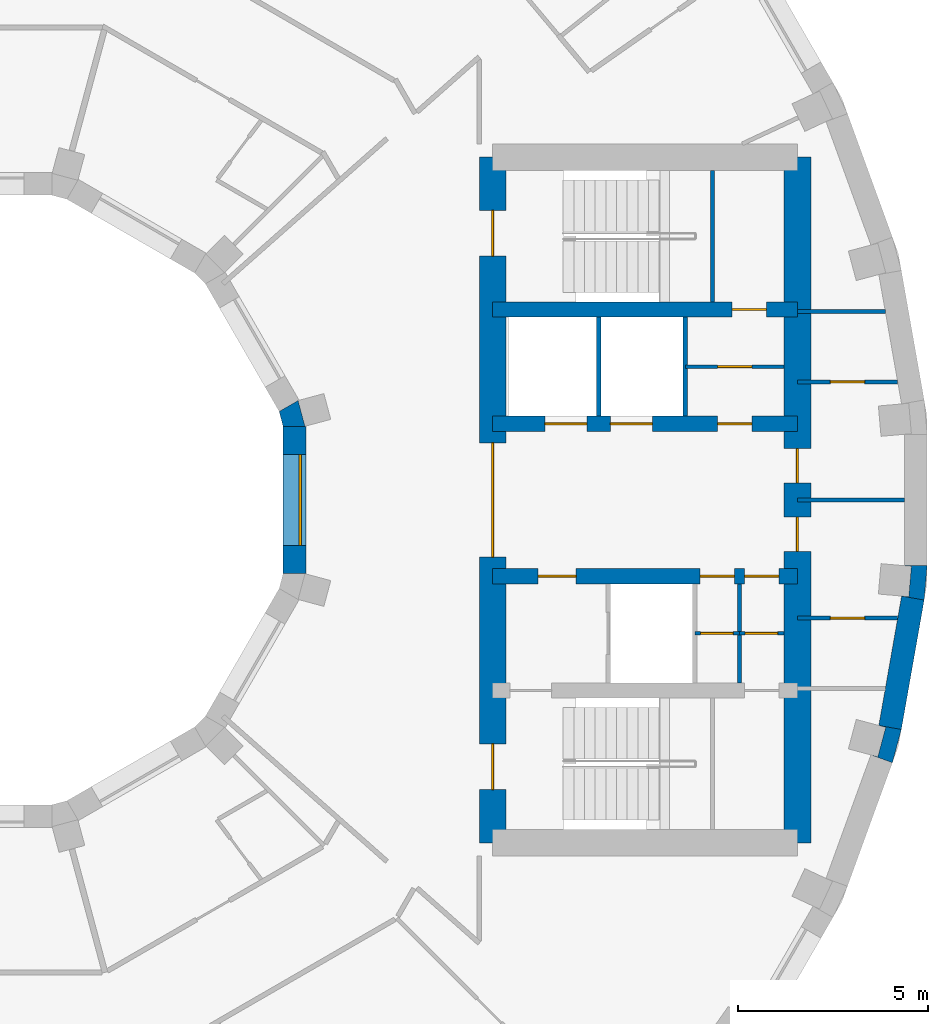
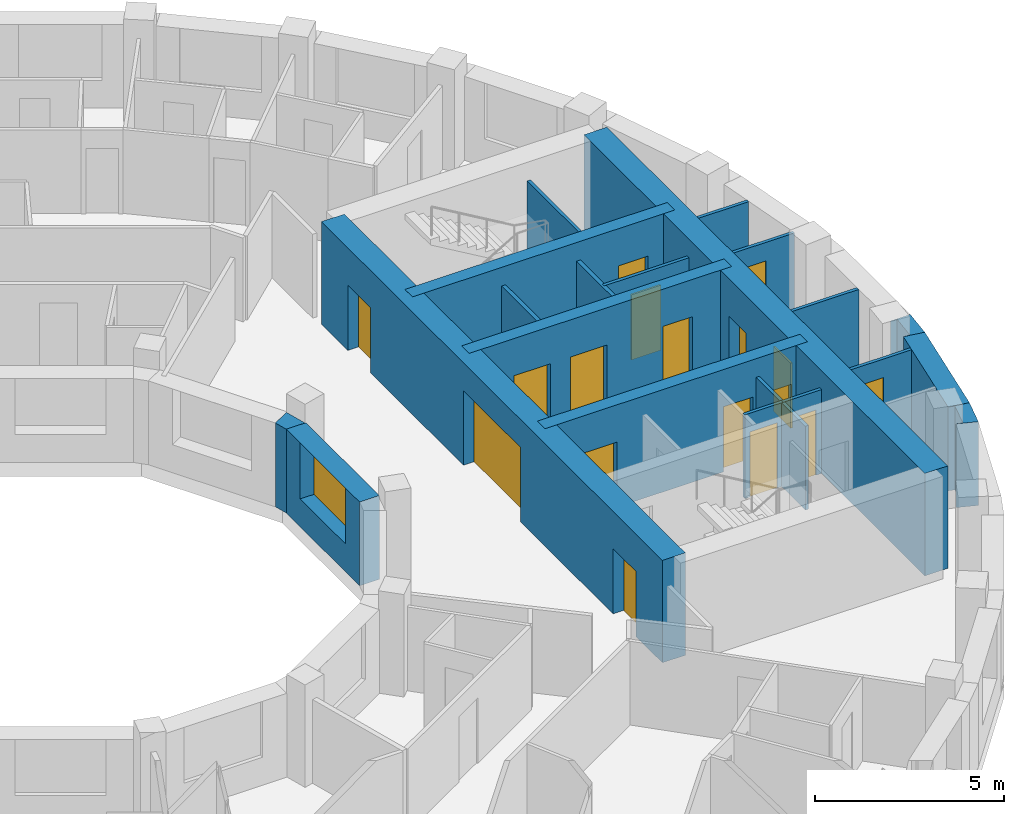
# One storey, part 9 of 14: 21 walls, 17 doors, 1 window, 18 openings.
"""IFC4 building model written with IfcOpenShell, lengths in metres."""

from ifc_helpers import new_model, si_unit, direction, frame, frame_2d, origin, place, context, subcontext, project, spatial, polyline, rectangle, outline, extrude, material, layer, layer_set, type_object, element, fill, save


model = new_model("IFC4")

# Units and contexts
model_context = context("Model", 3, precision=1e-05, world=origin(), true_north=direction((0.0, 1.0)))
body_context = subcontext(model_context, "Body", "Model", "MODEL_VIEW")
ifc_project = project(units=[si_unit("LENGTHUNIT", "METRE"), si_unit("AREAUNIT", "SQUARE_METRE"), si_unit("VOLUMEUNIT", "CUBIC_METRE"), si_unit("PLANEANGLEUNIT", "RADIAN"), si_unit("MASSUNIT", "GRAM", prefix="KILO")], contexts=[model_context])

# Site, building, storey
site_placement = place(None, origin())
site = spatial("IfcSite", under=ifc_project, at=site_placement, CompositionType="ELEMENT")
building_placement = place(site_placement, origin())
building = spatial("IfcBuilding", under=site, at=building_placement, Name="Saqina Gate Tower", CompositionType="ELEMENT")
storey_placement = place(building_placement, frame((0.0, 0.0, 216.89990234375)))
storey = spatial("IfcBuildingStorey", under=building, at=storey_placement, Name="L62", CompositionType="ELEMENT", Elevation=216.89990234375)

# Walls
ifc_material_1 = material(Name="Brick masonry (buff)", Category="masonry")
wall_type_1 = type_object("IfcWallType", Name="BRICK PIER COPING BUFF", PredefinedType="SOLIDWALL", material=ifc_material_1)
wall_1_placement = place(storey_placement, origin())
element("IfcWall", 1, at=wall_1_placement, inside=storey, type_object=wall_type_1, Name="Pier cap L62 column 35", PredefinedType="SOLIDWALL", context=body_context, shape_type="SweptSolid", body=[
    extrude(outline(polyline([(24.22705078125, -6.0234375), (23.635986328125, -5.919189453125), (23.81689453125, -5.967529296875), (23.610107421875, -6.740478515625), (23.428955078125, -6.69189453125), (23.992919921875, -6.897216796875), (24.22705078125, -6.0234375)])), origin(), (0.0, 0.0, 1.0), 2.7001953125),
])
wall_2_placement = place(storey_placement, origin())
element("IfcWall", 2, at=wall_2_placement, inside=storey, type_object=wall_type_1, Name="Pier cap L62 column 36", PredefinedType="SOLIDWALL", context=body_context, shape_type="SweptSolid", body=[
    extrude(outline(polyline([(24.825927734375, -2.6259765625), (24.90478515625, -1.724853515625), (24.304931640625, -1.724853515625), (24.491455078125, -1.7412109375), (24.421630859375, -2.5380859375), (24.235107421875, -2.521728515625), (24.825927734375, -2.6259765625)])), origin(), (0.0, 0.0, 1.0), 2.7001953125),
])
ifc_material_2 = material(Name="Gypsum board on steel studs", Category="steel")
ifc_layer_1 = layer(ifc_material_2, 0.10009765625)
ifc_layer_set_1 = layer_set([ifc_layer_1], Name="CORE PARTITION")
wall_type_2 = type_object("IfcWallType", Name="CORE PARTITION", PredefinedType="PARTITIONING", material=ifc_layer_set_1)
wall_3_placement = place(storey_placement, frame((21.5, 4.949951171875, 0.0), z_axis=(0.0, 0.0, 1.0), x_axis=(1.0, 0.0, 0.0)))
element("IfcWall", 3, at=wall_3_placement, inside=storey, type_object=wall_type_2, Name="L62-CP-E01", PredefinedType="PARTITIONING", context=body_context, shape_type="SweptSolid", body=[
    extrude(rectangle(XDim=2.306884765625, YDim=0.10009765625, at=frame_2d((1.1533203125, 0.0))), origin(), (0.0, 0.0, 1.0), 2.7001953125),
])

# Wall, opening, door
wall_4_placement = place(storey_placement, frame((21.5, 3.10009765625, 0.0), z_axis=(0.0, 0.0, 1.0), x_axis=(1.0, 0.0, 0.0)))
wall_4 = element("IfcWall", 4, at=wall_4_placement, inside=storey, type_object=wall_type_2, Name="L62-CP-E02", PredefinedType="PARTITIONING", context=body_context, shape_type="SweptSolid", body=[
    extrude(rectangle(XDim=2.63330078125, YDim=0.10009765625, at=frame_2d((1.316650390625, 0.0))), origin(), (0.0, 0.0, 1.0), 2.7001953125),
])
opening_1_placement = place(wall_4_placement, frame((0.86669921875, 0.0, 0.0)))
opening_1 = element("IfcOpeningElement", 5, at=opening_1_placement, cuts=wall_4, Name="Opening G18-D94", PredefinedType="OPENING", context=body_context, shape_type="SweptSolid", body=[
    extrude(rectangle(XDim=0.89990234375, YDim=2.10009765625, at=frame_2d((0.449951171875, 1.050048828125))), frame((0.0, 0.06201171875, 0.0), z_axis=(0.0, -1.0, 0.0), x_axis=(1.0, 0.0, 0.0)), (0.0, 0.0, 1.0), 0.1240234375),
])
ifc_material_3 = material(Name="Steel-framed fire door leaf, EI 60", Category="steel")
door_type_1 = type_object("IfcDoorType", Name="SERVICE ROOM DOOR 900", OperationType="SINGLE_SWING_LEFT", PredefinedType="DOOR", material=ifc_material_3)
door_1_placement = place(opening_1_placement, frame((0.89990234375, 0.0, 0.0), z_axis=(0.0, 0.0, 1.0), x_axis=(-1.0, 0.0, 0.0)))
door_1 = element("IfcDoor", 6, at=door_1_placement, inside=storey, type_object=door_type_1, Name="L62-CD-E05", OperationType="SINGLE_SWING_RIGHT", OverallHeight=2.10009765625, OverallWidth=0.89990234375, PredefinedType="DOOR", context=body_context, shape_type="SweptSolid", body=[
    extrude(rectangle(XDim=0.89990234375, YDim=2.10009765625, at=frame_2d((0.449951171875, 1.050048828125))), frame((0.0, 0.02490234375, 0.0), z_axis=(0.0, -1.0, 0.0), x_axis=(1.0, 0.0, 0.0)), (0.0, 0.0, 1.0), 0.050048828125),
])
fill(opening_1, door_1)

wall_5_placement = place(storey_placement, frame((21.5, -3.10009765625, 0.0), z_axis=(0.0, 0.0, 1.0), x_axis=(1.0, 0.0, 0.0)))
wall_5 = element("IfcWall", 7, at=wall_5_placement, inside=storey, type_object=wall_type_2, Name="L62-CP-E04", PredefinedType="PARTITIONING", context=body_context, shape_type="SweptSolid", body=[
    extrude(rectangle(XDim=2.63330078125, YDim=0.10009765625, at=frame_2d((1.316650390625, 0.0))), origin(), (0.0, 0.0, 1.0), 2.7001953125),
])
opening_2_placement = place(wall_5_placement, frame((0.86669921875, 0.0, 0.0)))
opening_2 = element("IfcOpeningElement", 8, at=opening_2_placement, cuts=wall_5, Name="Opening G18-D96", PredefinedType="OPENING", context=body_context, shape_type="SweptSolid", body=[
    extrude(rectangle(XDim=0.89990234375, YDim=2.10009765625, at=frame_2d((0.449951171875, 1.050048828125))), frame((0.0, 0.06201171875, 0.0), z_axis=(0.0, -1.0, 0.0), x_axis=(1.0, 0.0, 0.0)), (0.0, 0.0, 1.0), 0.1240234375),
])
door_2_placement = place(opening_2_placement, origin())
door_2 = element("IfcDoor", 9, at=door_2_placement, inside=storey, type_object=door_type_1, Name="L62-CD-E07", OperationType="SINGLE_SWING_LEFT", OverallHeight=2.10009765625, OverallWidth=0.89990234375, PredefinedType="DOOR", context=body_context, shape_type="SweptSolid", body=[
    extrude(rectangle(XDim=0.89990234375, YDim=2.10009765625, at=frame_2d((0.449951171875, 1.050048828125))), frame((0.0, 0.02490234375, 0.0), z_axis=(0.0, -1.0, 0.0), x_axis=(1.0, 0.0, 0.0)), (0.0, 0.0, 1.0), 0.050048828125),
])
fill(opening_2, door_2)

# Walls
wall_6_placement = place(storey_placement, frame((21.5, 0.0, 0.0), z_axis=(0.0, 0.0, 1.0), x_axis=(1.0, 0.0, 0.0)))
element("IfcWall", 10, at=wall_6_placement, inside=storey, type_object=wall_type_2, Name="L62-CP-E05", PredefinedType="PARTITIONING", context=body_context, shape_type="SweptSolid", body=[
    extrude(rectangle(XDim=2.804931640625, YDim=0.10009765625, at=frame_2d((1.40234375, 0.0))), origin(), (0.0, 0.0, 1.0), 2.7001953125),
])
wall_7_placement = place(storey_placement, frame((19.97998046875, -4.800048828125, 0.0), z_axis=(0.0, 0.0, 1.0), x_axis=(0.0, 1.0, 0.0)))
element("IfcWall", 11, at=wall_7_placement, inside=storey, type_object=wall_type_2, Name="L62-CP-E10", PredefinedType="PARTITIONING", context=body_context, shape_type="SweptSolid", body=[
    extrude(rectangle(XDim=2.60009765625, YDim=0.10009765625, at=frame_2d((1.300048828125, 0.0))), origin(), (0.0, 0.0, 1.0), 2.7001953125),
])

# Wall, opening, door
wall_8_placement = place(storey_placement, frame((18.56005859375, 3.5, 0.0), z_axis=(0.0, 0.0, 1.0), x_axis=(1.0, 0.0, 0.0)))
wall_8 = element("IfcWall", 12, at=wall_8_placement, inside=storey, type_object=wall_type_2, Name="L62-CP-E11", PredefinedType="PARTITIONING", context=body_context, shape_type="SweptSolid", body=[
    extrude(rectangle(XDim=2.58984375, YDim=0.10009765625, at=frame_2d((1.294921875, 0.0))), origin(), (0.0, 0.0, 1.0), 2.7001953125),
])
opening_3_placement = place(wall_8_placement, frame((0.844970703125, 0.0, 0.0)))
opening_3 = element("IfcOpeningElement", 13, at=opening_3_placement, cuts=wall_8, Name="Opening G18-D98", PredefinedType="OPENING", context=body_context, shape_type="SweptSolid", body=[
    extrude(rectangle(XDim=0.89990234375, YDim=2.10009765625, at=frame_2d((0.449951171875, 1.050048828125))), frame((0.0, 0.06201171875, 0.0), z_axis=(0.0, -1.0, 0.0), x_axis=(1.0, 0.0, 0.0)), (0.0, 0.0, 1.0), 0.1240234375),
])
door_3_placement = place(opening_3_placement, origin())
door_3 = element("IfcDoor", 14, at=door_3_placement, inside=storey, type_object=door_type_1, Name="L62-CD-E09", OperationType="SINGLE_SWING_RIGHT", OverallHeight=2.10009765625, OverallWidth=0.89990234375, PredefinedType="DOOR", context=body_context, shape_type="SweptSolid", body=[
    extrude(rectangle(XDim=0.89990234375, YDim=2.10009765625, at=frame_2d((0.449951171875, 1.050048828125))), frame((0.0, 0.02490234375, 0.0), z_axis=(0.0, -1.0, 0.0), x_axis=(1.0, 0.0, 0.0)), (0.0, 0.0, 1.0), 0.050048828125),
])
fill(opening_3, door_3)

wall_9_placement = place(storey_placement, frame((18.81005859375, -3.5, 0.0), z_axis=(0.0, 0.0, 1.0), x_axis=(1.0, 0.0, 0.0)))
wall_9 = element("IfcWall", 15, at=wall_9_placement, inside=storey, type_object=wall_type_2, Name="L62-CP-E12", PredefinedType="PARTITIONING", context=body_context, shape_type="SweptSolid", body=[
    extrude(rectangle(XDim=1.169921875, YDim=0.10009765625, at=frame_2d((0.5849609375, 0.0))), origin(), (0.0, 0.0, 1.0), 2.7001953125),
])
opening_4_placement = place(wall_9_placement, frame((0.14990234375, 0.0, 0.0)))
opening_4 = element("IfcOpeningElement", 16, at=opening_4_placement, cuts=wall_9, Name="Opening G18-D100", PredefinedType="OPENING", context=body_context, shape_type="SweptSolid", body=[
    extrude(rectangle(XDim=0.85009765625, YDim=2.10009765625, at=frame_2d((0.425048828125, 1.050048828125))), frame((0.0, 0.06201171875, 0.0), z_axis=(0.0, -1.0, 0.0), x_axis=(1.0, 0.0, 0.0)), (0.0, 0.0, 1.0), 0.1240234375),
])
ifc_material_4 = material(Name="Steel-framed fire door leaf, EI 60", Category="steel")
door_type_2 = type_object("IfcDoorType", Name="SERVICE ROOM DOOR 850", OperationType="SINGLE_SWING_LEFT", PredefinedType="DOOR", material=ifc_material_4)
door_4_placement = place(opening_4_placement, frame((0.85009765625, 0.0, 0.0), z_axis=(0.0, 0.0, 1.0), x_axis=(-1.0, 0.0, 0.0)))
door_4 = element("IfcDoor", 17, at=door_4_placement, inside=storey, type_object=door_type_2, Name="L62-CD-E11", OperationType="SINGLE_SWING_RIGHT", OverallHeight=2.10009765625, OverallWidth=0.85009765625, PredefinedType="DOOR", context=body_context, shape_type="SweptSolid", body=[
    extrude(rectangle(XDim=0.85009765625, YDim=2.10009765625, at=frame_2d((0.425048828125, 1.050048828125))), frame((0.0, 0.02490234375, 0.0), z_axis=(0.0, -1.0, 0.0), x_axis=(1.0, 0.0, 0.0)), (0.0, 0.0, 1.0), 0.050048828125),
])
fill(opening_4, door_4)

wall_10_placement = place(storey_placement, frame((19.97998046875, -3.5, 0.0), z_axis=(0.0, 0.0, 1.0), x_axis=(1.0, 0.0, 0.0)))
wall_10 = element("IfcWall", 18, at=wall_10_placement, inside=storey, type_object=wall_type_2, Name="L62-CP-E13", PredefinedType="PARTITIONING", context=body_context, shape_type="SweptSolid", body=[
    extrude(rectangle(XDim=1.169921875, YDim=0.10009765625, at=frame_2d((0.5849609375, 0.0))), origin(), (0.0, 0.0, 1.0), 2.7001953125),
])
opening_5_placement = place(wall_10_placement, frame((0.14990234375, 0.0, 0.0)))
opening_5 = element("IfcOpeningElement", 19, at=opening_5_placement, cuts=wall_10, Name="Opening G18-D101", PredefinedType="OPENING", context=body_context, shape_type="SweptSolid", body=[
    extrude(rectangle(XDim=0.85009765625, YDim=2.10009765625, at=frame_2d((0.425048828125, 1.050048828125))), frame((0.0, 0.06201171875, 0.0), z_axis=(0.0, -1.0, 0.0), x_axis=(1.0, 0.0, 0.0)), (0.0, 0.0, 1.0), 0.1240234375),
])
door_5_placement = place(opening_5_placement, frame((0.85009765625, 0.0, 0.0), z_axis=(0.0, 0.0, 1.0), x_axis=(-1.0, 0.0, 0.0)))
door_5 = element("IfcDoor", 20, at=door_5_placement, inside=storey, type_object=door_type_2, Name="L62-CD-E12", OperationType="SINGLE_SWING_LEFT", OverallHeight=2.10009765625, OverallWidth=0.85009765625, PredefinedType="DOOR", context=body_context, shape_type="SweptSolid", body=[
    extrude(rectangle(XDim=0.85009765625, YDim=2.10009765625, at=frame_2d((0.425048828125, 1.050048828125))), frame((0.0, 0.02490234375, 0.0), z_axis=(0.0, -1.0, 0.0), x_axis=(1.0, 0.0, 0.0)), (0.0, 0.0, 1.0), 0.050048828125),
])
fill(opening_5, door_5)

# Wall
ifc_material_5 = material(Name="Glazed ceramic tile", Category="ceramic")
ifc_layer_2 = layer(ifc_material_5, 0.60009765625)
ifc_layer_set_2 = layer_set([ifc_layer_2], Name="FW-TILE")
wall_type_3 = type_object("IfcWallType", Name="FW-TILE", PredefinedType="SOLIDWALL", material=ifc_layer_set_2)
wall_11_placement = place(storey_placement, frame((23.931640625, -5.97119140625, 0.0), z_axis=(0.0, 0.0, 1.0), x_axis=(0.173607684551, 0.984814892183, 0.0)))
element("IfcWall", 21, at=wall_11_placement, inside=storey, type_object=wall_type_3, Name="Facade wall L62 facet 35", PredefinedType="SOLIDWALL", context=body_context, shape_type="SweptSolid", body=[
    extrude(rectangle(XDim=3.44970703125, YDim=0.60009765625, at=frame_2d((1.724853515625, 0.0))), origin(), (0.0, 0.0, 1.0), 2.7001953125),
])

# Wall, opening, window
ifc_material_6 = material(Name="Glazed ceramic tile", Category="ceramic")
ifc_layer_3 = layer(ifc_material_6, 0.60009765625)
ifc_layer_set_3 = layer_set([ifc_layer_3], Name="IW-TILE")
wall_type_4 = type_object("IfcWallType", Name="IW-TILE", PredefinedType="SOLIDWALL", material=ifc_layer_set_3)
wall_12_placement = place(storey_placement, frame((8.300048828125, -1.934814453125, 0.0), z_axis=(0.0, 0.0, 1.0), x_axis=(0.0, 1.0, 0.0)))
wall_12 = element("IfcWall", 22, at=wall_12_placement, inside=storey, type_object=wall_type_4, Name="Well wall L62 facet 12", PredefinedType="SOLIDWALL", context=body_context, shape_type="SweptSolid", body=[
    extrude(rectangle(XDim=3.86962890625, YDim=0.60009765625, at=frame_2d((1.934814453125, 0.0))), origin(), (0.0, 0.0, 1.0), 2.7001953125),
])
opening_6_placement = place(wall_12_placement, frame((0.73486328125, 0.0, 0.89990234375)))
opening_6 = element("IfcOpeningElement", 23, at=opening_6_placement, cuts=wall_12, Name="Opening G18-W34", PredefinedType="OPENING", context=body_context, shape_type="SweptSolid", body=[
    extrude(rectangle(XDim=2.39990234375, YDim=1.800048828125, at=frame_2d((1.199951171875, 0.89990234375))), frame((0.0, 0.31201171875, 0.0), z_axis=(0.0, -1.0, 0.0), x_axis=(1.0, 0.0, 0.0)), (0.0, 0.0, 1.0), 0.6240234375),
])
ifc_material_7 = material(Name="Aluminium glazing", Category="aluminium")
window_type = type_object("IfcWindowType", Name="WN-W", PartitioningType="SINGLE_PANEL", PredefinedType="WINDOW", material=ifc_material_7)
window_placement = place(opening_6_placement, origin())
window = element("IfcWindow", 24, at=window_placement, inside=storey, type_object=window_type, Name="Well window L62 facet 12", OverallHeight=1.800048828125, OverallWidth=2.39990234375, PartitioningType="SINGLE_PANEL", PredefinedType="WINDOW", context=body_context, shape_type="SweptSolid", body=[
    extrude(rectangle(XDim=2.39990234375, YDim=1.800048828125, at=frame_2d((1.199951171875, 0.89990234375))), frame((0.0, -0.119873046875, 0.0), z_axis=(0.0, -1.0, 0.0), x_axis=(1.0, 0.0, 0.0)), (0.0, 0.0, 1.0), 0.06005859375),
])
fill(opening_6, window)

# Walls
ifc_material_8 = material(Name="Autoclaved aerated concrete block", Category="concrete")
ifc_layer_4 = layer(ifc_material_8, 0.1201171875)
ifc_layer_set_4 = layer_set([ifc_layer_4], Name="SHAFT PARTITION")
wall_type_5 = type_object("IfcWallType", Name="SHAFT PARTITION", PredefinedType="PARTITIONING", material=ifc_layer_set_4)
for number, where, z_axis, x_axis, name in (
    (25, (16.280029296875, 2.199951171875, 0.0), (0.0, 0.0, 1.0), (0.0, 1.0, 0.0), "L62-CP-E06"),
    (26, (18.56005859375, 2.199951171875, 0.0), (0.0, 0.0, 1.0), (0.0, 1.0, 0.0), "L62-CP-E07"),
):
    element("IfcWall", number, at=place(storey_placement, frame(where, z_axis=z_axis, x_axis=x_axis)), inside=storey, type_object=wall_type_5, Name=name, PredefinedType="PARTITIONING", context=body_context, shape_type="SweptSolid", body=[
        extrude(rectangle(XDim=2.60009765625, YDim=0.1201171875, at=frame_2d((1.300048828125, 0.0))), origin(), (0.0, 0.0, 1.0), 2.7001953125),
    ])
ifc_material_9 = material(Name="Autoclaved aerated concrete block", Category="concrete")
ifc_layer_5 = layer(ifc_material_9, 0.10009765625)
ifc_layer_set_5 = layer_set([ifc_layer_5], Name="STAIR ENCLOSURE WALL")
wall_type_6 = type_object("IfcWallType", Name="STAIR ENCLOSURE WALL", PredefinedType="PARTITIONING", material=ifc_layer_set_5)
wall_13_placement = place(storey_placement, frame((19.27001953125, 5.199951171875, 0.0), z_axis=(0.0, 0.0, 1.0), x_axis=(0.0, 1.0, 0.0)))
element("IfcWall", 27, at=wall_13_placement, inside=storey, type_object=wall_type_6, Name="L62-CP-E14", PredefinedType="PARTITIONING", context=body_context, shape_type="SweptSolid", body=[
    extrude(rectangle(XDim=3.449951171875, YDim=0.10009765625, at=frame_2d((1.72509765625, 0.0))), origin(), (0.0, 0.0, 1.0), 2.7001953125),
])

# Wall, opening, door
ifc_material_10 = material(Name="Concrete C60/75", Category="concrete")
ifc_layer_6 = layer(ifc_material_10, 0.39990234375)
ifc_layer_set_6 = layer_set([ifc_layer_6], Name="Concrete C60/75")
wall_type_7 = type_object("IfcWallType", Name="STR-CORE WALL-C-I", PredefinedType="SHEAR", material=ifc_layer_set_6)
wall_14_placement = place(storey_placement, frame((13.5, 5.0, 0.0), z_axis=(0.0, 0.0, 1.0), x_axis=(1.0, 0.0, 0.0)))
wall_14 = element("IfcWall", 28, at=wall_14_placement, inside=storey, type_object=wall_type_7, Name="CORE WALL L62 E-X1", PredefinedType="SHEAR", context=body_context, shape_type="SweptSolid", body=[
    extrude(rectangle(XDim=8.0, YDim=0.39990234375, at=frame_2d((4.0, 0.0))), origin(), (0.0, 0.0, 1.0), 3.300048828125),
])
opening_7_placement = place(wall_14_placement, frame((6.284912109375, 0.0, 0.0)))
opening_7 = element("IfcOpeningElement", 29, at=opening_7_placement, cuts=wall_14, Name="Opening G18-D99", PredefinedType="OPENING", context=body_context, shape_type="SweptSolid", body=[
    extrude(rectangle(XDim=0.89990234375, YDim=2.10009765625, at=frame_2d((0.449951171875, 1.050048828125))), frame((0.0, 0.2119140625, 0.0), z_axis=(0.0, -1.0, 0.0), x_axis=(1.0, 0.0, 0.0)), (0.0, 0.0, 1.0), 0.423828125),
])
door_6_placement = place(opening_7_placement, origin())
door_6 = element("IfcDoor", 30, at=door_6_placement, inside=storey, type_object=door_type_1, Name="L62-CD-E10", OperationType="SINGLE_SWING_RIGHT", OverallHeight=2.10009765625, OverallWidth=0.89990234375, PredefinedType="DOOR", context=body_context, shape_type="SweptSolid", body=[
    extrude(rectangle(XDim=0.89990234375, YDim=2.10009765625, at=frame_2d((0.449951171875, 1.050048828125))), frame((0.0, 0.02490234375, 0.0), z_axis=(0.0, -1.0, 0.0), x_axis=(1.0, 0.0, 0.0)), (0.0, 0.0, 1.0), 0.050048828125),
])
fill(opening_7, door_6)

# Wall, openings, doors
wall_15_placement = place(storey_placement, frame((13.5, 2.0, 0.0), z_axis=(0.0, 0.0, 1.0), x_axis=(1.0, 0.0, 0.0)))
wall_15 = element("IfcWall", 31, at=wall_15_placement, inside=storey, type_object=wall_type_7, Name="CORE WALL L62 E-L1", PredefinedType="SHEAR", context=body_context, shape_type="SweptSolid", body=[
    extrude(rectangle(XDim=8.0, YDim=0.39990234375, at=frame_2d((4.0, 0.0))), origin(), (0.0, 0.0, 1.0), 3.300048828125),
])
opening_8_placement = place(wall_15_placement, frame((1.3701171875, 0.0, 0.0)))
opening_8 = element("IfcOpeningElement", 32, at=opening_8_placement, cuts=wall_15, Name="Opening G18-LD1", PredefinedType="OPENING", context=body_context, shape_type="SweptSolid", body=[
    extrude(rectangle(XDim=1.10009765625, YDim=2.10009765625, at=frame_2d((0.550048828125, 1.050048828125))), frame((0.0, 0.2119140625, 0.0), z_axis=(0.0, -1.0, 0.0), x_axis=(1.0, 0.0, 0.0)), (0.0, 0.0, 1.0), 0.423828125),
])
opening_9_placement = place(wall_15_placement, frame((3.090087890625, 0.0, 0.0)))
opening_9 = element("IfcOpeningElement", 33, at=opening_9_placement, cuts=wall_15, Name="Opening G18-LD2", PredefinedType="OPENING", context=body_context, shape_type="SweptSolid", body=[
    extrude(rectangle(XDim=1.10009765625, YDim=2.10009765625, at=frame_2d((0.550048828125, 1.050048828125))), frame((0.0, 0.2119140625, 0.0), z_axis=(0.0, -1.0, 0.0), x_axis=(1.0, 0.0, 0.0)), (0.0, 0.0, 1.0), 0.423828125),
])
opening_10_placement = place(wall_15_placement, frame((5.905029296875, 0.0, 0.0)))
opening_10 = element("IfcOpeningElement", 34, at=opening_10_placement, cuts=wall_15, Name="Opening G18-D90", PredefinedType="OPENING", context=body_context, shape_type="SweptSolid", body=[
    extrude(rectangle(XDim=0.89990234375, YDim=2.10009765625, at=frame_2d((0.449951171875, 1.050048828125))), frame((0.0, 0.2119140625, 0.0), z_axis=(0.0, -1.0, 0.0), x_axis=(1.0, 0.0, 0.0)), (0.0, 0.0, 1.0), 0.423828125),
])
ifc_material_11 = material(Name="Stainless steel", Category="steel")
door_type_3 = type_object("IfcDoorType", Name="LANDING DOOR", OperationType="DOUBLE_DOOR_SLIDING", PredefinedType="DOOR", material=ifc_material_11)
door_7_placement = place(opening_8_placement, origin())
door_7 = element("IfcDoor", 35, at=door_7_placement, inside=storey, type_object=door_type_3, Name="LANDING DOOR HR1", OperationType="DOUBLE_DOOR_SLIDING", OverallHeight=2.10009765625, OverallWidth=1.10009765625, PredefinedType="DOOR", context=body_context, shape_type="SweptSolid", body=[
    extrude(rectangle(XDim=1.10009765625, YDim=2.10009765625, at=frame_2d((0.550048828125, 1.050048828125))), frame((0.0, 0.02490234375, 0.0), z_axis=(0.0, -1.0, 0.0), x_axis=(1.0, 0.0, 0.0)), (0.0, 0.0, 1.0), 0.050048828125),
])
fill(opening_8, door_7)
door_8_placement = place(opening_9_placement, origin())
door_8 = element("IfcDoor", 36, at=door_8_placement, inside=storey, type_object=door_type_3, Name="LANDING DOOR HR2", OperationType="DOUBLE_DOOR_SLIDING", OverallHeight=2.10009765625, OverallWidth=1.10009765625, PredefinedType="DOOR", context=body_context, shape_type="SweptSolid", body=[
    extrude(rectangle(XDim=1.10009765625, YDim=2.10009765625, at=frame_2d((0.550048828125, 1.050048828125))), frame((0.0, 0.02490234375, 0.0), z_axis=(0.0, -1.0, 0.0), x_axis=(1.0, 0.0, 0.0)), (0.0, 0.0, 1.0), 0.050048828125),
])
fill(opening_9, door_8)
door_9_placement = place(opening_10_placement, origin())
door_9 = element("IfcDoor", 37, at=door_9_placement, inside=storey, type_object=door_type_1, Name="L62-CD-E01", OperationType="SINGLE_SWING_RIGHT", OverallHeight=2.10009765625, OverallWidth=0.89990234375, PredefinedType="DOOR", context=body_context, shape_type="SweptSolid", body=[
    extrude(rectangle(XDim=0.89990234375, YDim=2.10009765625, at=frame_2d((0.449951171875, 1.050048828125))), frame((0.0, 0.02490234375, 0.0), z_axis=(0.0, -1.0, 0.0), x_axis=(1.0, 0.0, 0.0)), (0.0, 0.0, 1.0), 0.050048828125),
])
fill(opening_10, door_9)

wall_16_placement = place(storey_placement, frame((13.5, -2.0, 0.0), z_axis=(0.0, 0.0, 1.0), x_axis=(1.0, 0.0, 0.0)))
wall_16 = element("IfcWall", 38, at=wall_16_placement, inside=storey, type_object=wall_type_7, Name="CORE WALL L62 E-L2", PredefinedType="SHEAR", context=body_context, shape_type="SweptSolid", body=[
    extrude(rectangle(XDim=8.0, YDim=0.39990234375, at=frame_2d((4.0, 0.0))), origin(), (0.0, 0.0, 1.0), 3.300048828125),
])
opening_11_placement = place(wall_16_placement, frame((1.18994140625, 0.0, 0.0)))
opening_11 = element("IfcOpeningElement", 39, at=opening_11_placement, cuts=wall_16, Name="Opening G18-D91", PredefinedType="OPENING", context=body_context, shape_type="SweptSolid", body=[
    extrude(rectangle(XDim=1.0, YDim=2.10009765625, at=frame_2d((0.5, 1.050048828125))), frame((0.0, 0.2119140625, 0.0), z_axis=(0.0, -1.0, 0.0), x_axis=(1.0, 0.0, 0.0)), (0.0, 0.0, 1.0), 0.423828125),
])
opening_12_placement = place(wall_16_placement, frame((5.445068359375, 0.0, 0.0)))
opening_12 = element("IfcOpeningElement", 40, at=opening_12_placement, cuts=wall_16, Name="Opening G18-D92", PredefinedType="OPENING", context=body_context, shape_type="SweptSolid", body=[
    extrude(rectangle(XDim=0.89990234375, YDim=2.10009765625, at=frame_2d((0.449951171875, 1.050048828125))), frame((0.0, 0.2119140625, 0.0), z_axis=(0.0, -1.0, 0.0), x_axis=(1.0, 0.0, 0.0)), (0.0, 0.0, 1.0), 0.423828125),
])
opening_13_placement = place(wall_16_placement, frame((6.614990234375, 0.0, 0.0)))
opening_13 = element("IfcOpeningElement", 41, at=opening_13_placement, cuts=wall_16, Name="Opening G18-D93", PredefinedType="OPENING", context=body_context, shape_type="SweptSolid", body=[
    extrude(rectangle(XDim=0.89990234375, YDim=2.10009765625, at=frame_2d((0.449951171875, 1.050048828125))), frame((0.0, 0.2119140625, 0.0), z_axis=(0.0, -1.0, 0.0), x_axis=(1.0, 0.0, 0.0)), (0.0, 0.0, 1.0), 0.423828125),
])
ifc_material_12 = material(Name="Steel", Category="steel")
door_type_4 = type_object("IfcDoorType", Name="FIRE LOBBY DOOR EI 60", OperationType="SINGLE_SWING_LEFT", PredefinedType="DOOR", material=ifc_material_12)
door_10_placement = place(opening_11_placement, origin())
door_10 = element("IfcDoor", 42, at=door_10_placement, inside=storey, type_object=door_type_4, Name="L62-CD-E02", OperationType="SINGLE_SWING_LEFT", OverallHeight=2.10009765625, OverallWidth=1.0, PredefinedType="DOOR", context=body_context, shape_type="SweptSolid", body=[
    extrude(rectangle(XDim=1.0, YDim=2.10009765625, at=frame_2d((0.5, 1.050048828125))), frame((0.0, 0.02490234375, 0.0), z_axis=(0.0, -1.0, 0.0), x_axis=(1.0, 0.0, 0.0)), (0.0, 0.0, 1.0), 0.050048828125),
])
fill(opening_11, door_10)
door_11_placement = place(opening_12_placement, frame((0.89990234375, 0.0, 0.0), z_axis=(0.0, 0.0, 1.0), x_axis=(-1.0, 0.0, 0.0)))
door_11 = element("IfcDoor", 43, at=door_11_placement, inside=storey, type_object=door_type_1, Name="L62-CD-E03", OperationType="SINGLE_SWING_RIGHT", OverallHeight=2.10009765625, OverallWidth=0.89990234375, PredefinedType="DOOR", context=body_context, shape_type="SweptSolid", body=[
    extrude(rectangle(XDim=0.89990234375, YDim=2.10009765625, at=frame_2d((0.449951171875, 1.050048828125))), frame((0.0, 0.02490234375, 0.0), z_axis=(0.0, -1.0, 0.0), x_axis=(1.0, 0.0, 0.0)), (0.0, 0.0, 1.0), 0.050048828125),
])
fill(opening_12, door_11)
door_12_placement = place(opening_13_placement, frame((0.89990234375, 0.0, 0.0), z_axis=(0.0, 0.0, 1.0), x_axis=(-1.0, 0.0, 0.0)))
door_12 = element("IfcDoor", 44, at=door_12_placement, inside=storey, type_object=door_type_1, Name="L62-CD-E04", OperationType="SINGLE_SWING_LEFT", OverallHeight=2.10009765625, OverallWidth=0.89990234375, PredefinedType="DOOR", context=body_context, shape_type="SweptSolid", body=[
    extrude(rectangle(XDim=0.89990234375, YDim=2.10009765625, at=frame_2d((0.449951171875, 1.050048828125))), frame((0.0, 0.02490234375, 0.0), z_axis=(0.0, -1.0, 0.0), x_axis=(1.0, 0.0, 0.0)), (0.0, 0.0, 1.0), 0.050048828125),
])
fill(opening_13, door_12)

ifc_material_13 = material(Name="Concrete C60/75", Category="concrete")
ifc_layer_7 = layer(ifc_material_13, 0.699951171875)
ifc_layer_set_7 = layer_set([ifc_layer_7], Name="Concrete C60/75")
wall_type_8 = type_object("IfcWallType", Name="STR-CORE WALL-C-O", PredefinedType="SHEAR", material=ifc_layer_set_7)
wall_17_placement = place(storey_placement, frame((13.5, -9.0, 0.0), z_axis=(0.0, 0.0, 1.0), x_axis=(0.0, 1.0, 0.0)))
wall_17 = element("IfcWall", 45, at=wall_17_placement, inside=storey, type_object=wall_type_8, Name="CORE WALL L62 E-W1", PredefinedType="SHEAR", context=body_context, shape_type="SweptSolid", body=[
    extrude(rectangle(XDim=18.0, YDim=0.699951171875, at=frame_2d((9.0, 0.0))), origin(), (0.0, 0.0, 1.0), 3.300048828125),
])
opening_14_placement = place(wall_17_placement, frame((15.39990234375, 0.0, 0.0)))
opening_14 = element("IfcOpeningElement", 46, at=opening_14_placement, cuts=wall_17, Name="Opening G18-D104", PredefinedType="OPENING", context=body_context, shape_type="SweptSolid", body=[
    extrude(rectangle(XDim=1.199951171875, YDim=2.10009765625, at=frame_2d((0.60009765625, 1.050048828125))), frame((0.0, 0.362060546875, 0.0), z_axis=(0.0, -1.0, 0.0), x_axis=(1.0, 0.0, 0.0)), (0.0, 0.0, 1.0), 0.723876953125),
])
opening_15_placement = place(wall_17_placement, frame((1.39990234375, 0.0, 0.0)))
opening_15 = element("IfcOpeningElement", 47, at=opening_15_placement, cuts=wall_17, Name="Opening G18-D105", PredefinedType="OPENING", context=body_context, shape_type="SweptSolid", body=[
    extrude(rectangle(XDim=1.199951171875, YDim=2.10009765625, at=frame_2d((0.60009765625, 1.050048828125))), frame((0.0, 0.362060546875, 0.0), z_axis=(0.0, -1.0, 0.0), x_axis=(1.0, 0.0, 0.0)), (0.0, 0.0, 1.0), 0.723876953125),
])
opening_16_placement = place(wall_17_placement, frame((7.5, 0.0, 0.0)))
opening_16 = element("IfcOpeningElement", 48, at=opening_16_placement, cuts=wall_17, Name="Opening G18-D106", PredefinedType="OPENING", context=body_context, shape_type="SweptSolid", body=[
    extrude(rectangle(XDim=3.0, YDim=2.39990234375, at=frame_2d((1.5, 1.199951171875))), frame((0.0, 0.362060546875, 0.0), z_axis=(0.0, -1.0, 0.0), x_axis=(1.0, 0.0, 0.0)), (0.0, 0.0, 1.0), 0.723876953125),
])
ifc_material_14 = material(Name="Steel", Category="steel")
door_type_5 = type_object("IfcDoorType", Name="FIRE DOOR EI 60", OperationType="SINGLE_SWING_LEFT", PredefinedType="DOOR", material=ifc_material_14)
door_13_placement = place(opening_14_placement, frame((1.199951171875, 0.0, 0.0), z_axis=(0.0, 0.0, 1.0), x_axis=(-1.0, 0.0, 0.0)))
door_13 = element("IfcDoor", 49, at=door_13_placement, inside=storey, type_object=door_type_5, Name="L62-CD-E15", OperationType="SINGLE_SWING_LEFT", OverallHeight=2.10009765625, OverallWidth=1.199951171875, PredefinedType="DOOR", context=body_context, shape_type="SweptSolid", body=[
    extrude(rectangle(XDim=1.199951171875, YDim=2.10009765625, at=frame_2d((0.60009765625, 1.050048828125))), frame((0.0, 0.02490234375, 0.0), z_axis=(0.0, -1.0, 0.0), x_axis=(1.0, 0.0, 0.0)), (0.0, 0.0, 1.0), 0.050048828125),
])
fill(opening_14, door_13)
door_14_placement = place(opening_15_placement, frame((1.199951171875, 0.0, 0.0), z_axis=(0.0, 0.0, 1.0), x_axis=(-1.0, 0.0, 0.0)))
door_14 = element("IfcDoor", 50, at=door_14_placement, inside=storey, type_object=door_type_5, Name="L62-CD-E16", OperationType="SINGLE_SWING_RIGHT", OverallHeight=2.10009765625, OverallWidth=1.199951171875, PredefinedType="DOOR", context=body_context, shape_type="SweptSolid", body=[
    extrude(rectangle(XDim=1.199951171875, YDim=2.10009765625, at=frame_2d((0.60009765625, 1.050048828125))), frame((0.0, 0.02490234375, 0.0), z_axis=(0.0, -1.0, 0.0), x_axis=(1.0, 0.0, 0.0)), (0.0, 0.0, 1.0), 0.050048828125),
])
fill(opening_15, door_14)
ifc_material_15 = material(Name="Steel and fire-resisting glass", Category="steel")
door_type_6 = type_object("IfcDoorType", Name="LOBBY SCREEN DOOR", OperationType="DOUBLE_DOOR_SLIDING", PredefinedType="DOOR", material=ifc_material_15)
door_15_placement = place(opening_16_placement, origin())
door_15 = element("IfcDoor", 51, at=door_15_placement, inside=storey, type_object=door_type_6, Name="L62-CD-E17", OperationType="DOUBLE_DOOR_SLIDING", OverallHeight=2.39990234375, OverallWidth=3.0, PredefinedType="DOOR", context=body_context, shape_type="SweptSolid", body=[
    extrude(rectangle(XDim=3.0, YDim=2.39990234375, at=frame_2d((1.5, 1.199951171875))), frame((0.0, 0.02490234375, 0.0), z_axis=(0.0, -1.0, 0.0), x_axis=(1.0, 0.0, 0.0)), (0.0, 0.0, 1.0), 0.050048828125),
])
fill(opening_16, door_15)

wall_18_placement = place(storey_placement, frame((21.5, -9.0, 0.0), z_axis=(0.0, 0.0, 1.0), x_axis=(0.0, 1.0, 0.0)))
wall_18 = element("IfcWall", 52, at=wall_18_placement, inside=storey, type_object=wall_type_8, Name="CORE WALL L62 E-W2", PredefinedType="SHEAR", context=body_context, shape_type="SweptSolid", body=[
    extrude(rectangle(XDim=18.0, YDim=0.699951171875, at=frame_2d((9.0, 0.0))), origin(), (0.0, 0.0, 1.0), 3.300048828125),
])
opening_17_placement = place(wall_18_placement, frame((9.449951171875, 0.0, 0.0)))
opening_17 = element("IfcOpeningElement", 53, at=opening_17_placement, cuts=wall_18, Name="Opening G18-D95", PredefinedType="OPENING", context=body_context, shape_type="SweptSolid", body=[
    extrude(rectangle(XDim=0.89990234375, YDim=2.10009765625, at=frame_2d((0.449951171875, 1.050048828125))), frame((0.0, 0.362060546875, 0.0), z_axis=(0.0, -1.0, 0.0), x_axis=(1.0, 0.0, 0.0)), (0.0, 0.0, 1.0), 0.723876953125),
])
opening_18_placement = place(wall_18_placement, frame((7.64990234375, 0.0, 0.0)))
opening_18 = element("IfcOpeningElement", 54, at=opening_18_placement, cuts=wall_18, Name="Opening G18-D97", PredefinedType="OPENING", context=body_context, shape_type="SweptSolid", body=[
    extrude(rectangle(XDim=0.89990234375, YDim=2.10009765625, at=frame_2d((0.449951171875, 1.050048828125))), frame((0.0, 0.362060546875, 0.0), z_axis=(0.0, -1.0, 0.0), x_axis=(1.0, 0.0, 0.0)), (0.0, 0.0, 1.0), 0.723876953125),
])
door_16_placement = place(opening_17_placement, frame((0.89990234375, 0.0, 0.0), z_axis=(0.0, 0.0, 1.0), x_axis=(-1.0, 0.0, 0.0)))
door_16 = element("IfcDoor", 55, at=door_16_placement, inside=storey, type_object=door_type_1, Name="L62-CD-E06", OperationType="SINGLE_SWING_RIGHT", OverallHeight=2.10009765625, OverallWidth=0.89990234375, PredefinedType="DOOR", context=body_context, shape_type="SweptSolid", body=[
    extrude(rectangle(XDim=0.89990234375, YDim=2.10009765625, at=frame_2d((0.449951171875, 1.050048828125))), frame((0.0, 0.02490234375, 0.0), z_axis=(0.0, -1.0, 0.0), x_axis=(1.0, 0.0, 0.0)), (0.0, 0.0, 1.0), 0.050048828125),
])
fill(opening_17, door_16)
door_17_placement = place(opening_18_placement, frame((0.89990234375, 0.0, 0.0), z_axis=(0.0, 0.0, 1.0), x_axis=(-1.0, 0.0, 0.0)))
door_17 = element("IfcDoor", 56, at=door_17_placement, inside=storey, type_object=door_type_1, Name="L62-CD-E08", OperationType="SINGLE_SWING_LEFT", OverallHeight=2.10009765625, OverallWidth=0.89990234375, PredefinedType="DOOR", context=body_context, shape_type="SweptSolid", body=[
    extrude(rectangle(XDim=0.89990234375, YDim=2.10009765625, at=frame_2d((0.449951171875, 1.050048828125))), frame((0.0, 0.02490234375, 0.0), z_axis=(0.0, -1.0, 0.0), x_axis=(1.0, 0.0, 0.0)), (0.0, 0.0, 1.0), 0.050048828125),
])
fill(opening_18, door_17)

# Wall
ifc_material_16 = material(Name="Glazed ceramic tile", Category="ceramic")
wall_type_9 = type_object("IfcWallType", Name="TILE PIER COPING", PredefinedType="SOLIDWALL", material=ifc_material_16)
wall_19_placement = place(storey_placement, origin())
element("IfcWall", 57, at=wall_19_placement, inside=storey, type_object=wall_type_9, Name="Well pier cap L62 column 1", PredefinedType="SOLIDWALL", context=body_context, shape_type="SweptSolid", body=[
    extrude(outline(polyline([(8.392333984375, 2.611083984375), (7.895751953125, 2.32421875), (8.0, 1.934814453125), (8.573486328125, 1.934814453125), (8.392333984375, 2.611083984375)])), origin(), (0.0, 0.0, 1.0), 2.7001953125),
])

save(model, "model.ifc")
